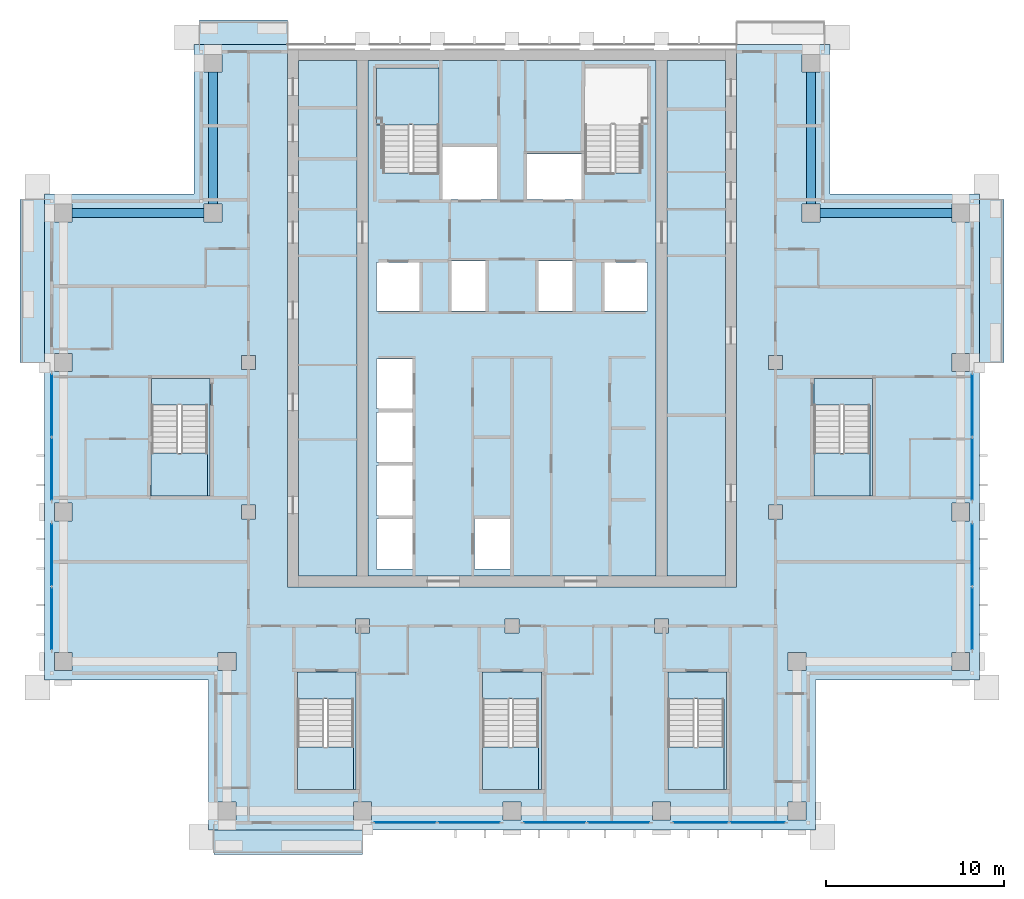
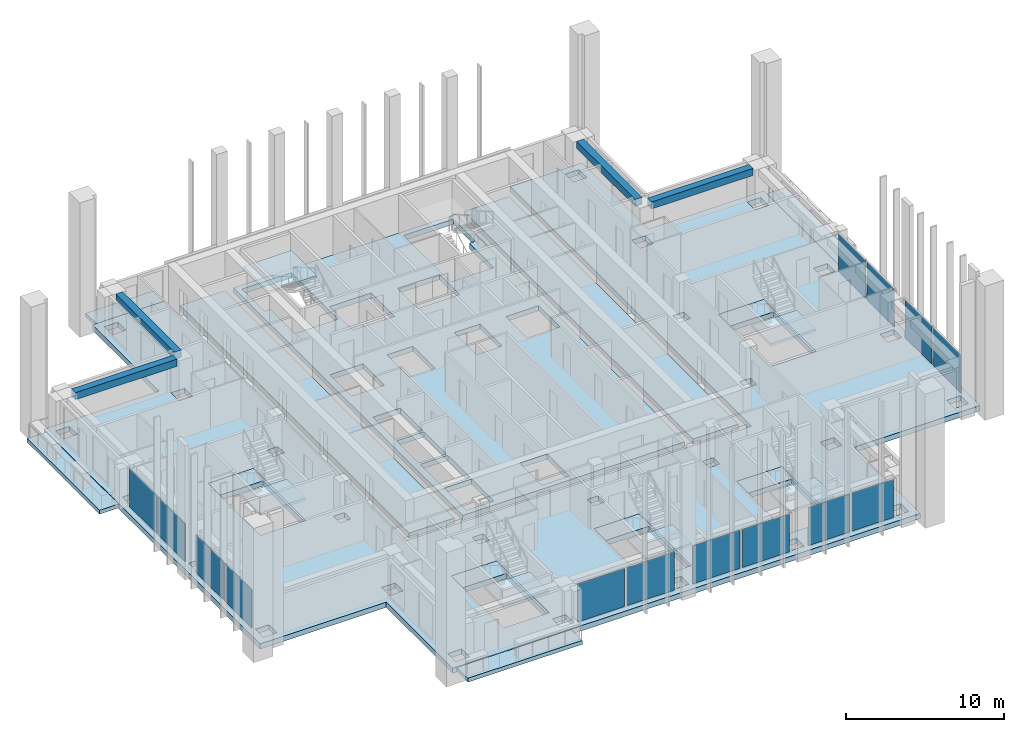
# One storey, part 6 of 17: 19 slabs, 14 plates, 4 beams, 13 elements without a shape of their own.
"""IFC4 building model written with IfcOpenShell, lengths in metres."""

from ifc_helpers import new_model, si_unit, direction, frame, origin, origin_2d, place, context, subcontext, project, spatial, polyline, rectangle, outline, extrude, material, layer, layer_set, material_profile, profile_set, type_object, element, aggregate, save


model = new_model("IFC4")

# Units and contexts
model_context = context("Model", 3, precision=1e-05, world=origin(), true_north=direction((0.0, 1.0)))
body_context = subcontext(model_context, "Body", "Model", "MODEL_VIEW")
ifc_project = project(units=[si_unit("LENGTHUNIT", "METRE"), si_unit("AREAUNIT", "SQUARE_METRE"), si_unit("VOLUMEUNIT", "CUBIC_METRE"), si_unit("PLANEANGLEUNIT", "RADIAN"), si_unit("MASSUNIT", "GRAM", prefix="KILO")], contexts=[model_context])

# Site, building, storey
site_placement = place(None, origin())
site = spatial("IfcSite", under=ifc_project, at=site_placement, CompositionType="ELEMENT")
building_placement = place(site_placement, origin())
building = spatial("IfcBuilding", under=site, at=building_placement, Name="Vermilion Ogive Tower", CompositionType="ELEMENT")
storey_placement = place(building_placement, frame((0.0, 0.0, 175.550048828125)))
storey = spatial("IfcBuildingStorey", under=building, at=storey_placement, Name="L45", CompositionType="ELEMENT", Elevation=175.550048828125)

# Beams
ifc_material_1 = material(Name="Concrete B45", Category="concrete")
ifc_material_profile = material_profile(ifc_material_1, rectangle(XDim=0.5, YDim=0.550048828125, at=origin_2d()), Name="500 x 550")
ifc_profile_set = profile_set([ifc_material_profile], Name="Concrete B45")
beam_type = type_object("IfcBeamType", Name="Edge beam 500 x 550 B45", PredefinedType="BEAM", material=ifc_profile_set)
for number, where, z_axis, x_axis, name in (
    (1, (24.699951171875, 12.60009765625, 2.77490234375), (-1.0, 0.0, 0.0), (0.0, -1.0, 0.0), "L45-EB-10"),
    (2, (16.800048828125, 13.10009765625, 2.77490234375), (0.0, 1.0, 0.0), (-1.0, 0.0, 0.0), "L45-EB-11"),
    (3, (-16.800048828125, 20.5, 2.77490234375), (0.0, -1.0, 0.0), (1.0, 0.0, 0.0), "L45-EB-12"),
    (4, (-17.300048828125, 12.60009765625, 2.77490234375), (-1.0, 0.0, 0.0), (0.0, -1.0, 0.0), "L45-EB-13"),
):
    element("IfcBeam", number, at=place(storey_placement, frame(where, z_axis=z_axis, x_axis=x_axis)), inside=storey, type_object=beam_type, Name=name, PredefinedType="BEAM", context=body_context, shape_type="SweptSolid", body=[
        extrude(rectangle(XDim=0.5, YDim=0.550048828125, at=origin_2d()), origin(), (0.0, 0.0, 1.0), 7.39990234375),
    ])

# Slabs
ifc_material_2 = material(Name="Concrete B40", Category="concrete")
ifc_layer_1 = layer(ifc_material_2, 0.300048828125)
ifc_layer_set_1 = layer_set([ifc_layer_1], Name="Balcony slab")
slab_type_1 = type_object("IfcSlabType", Name="Balcony slab", PredefinedType="FLOOR", material=ifc_layer_set_1)
slab_1_placement = place(storey_placement, frame((0.0, 0.0, -0.340087890625)))
element("IfcSlab", 5, at=slab_1_placement, inside=storey, type_object=slab_type_1, Name="Balcony slab S01", PredefinedType="FLOOR", context=body_context, shape_type="SweptSolid", body=[
    extrude(outline(polyline([(-16.75, -23.43408203125), (-8.39990234375, -23.43408203125), (-8.39990234375, -22.050048828125), (-16.75, -22.050048828125), (-16.75, -23.43408203125)])), origin(), (0.0, 0.0, 1.0), 0.300048828125),
])
slab_2_placement = place(storey_placement, frame((0.0, 0.0, -0.340087890625)))
element("IfcSlab", 6, at=slab_2_placement, inside=storey, type_object=slab_type_1, Name="Balcony slab E03", PredefinedType="FLOOR", context=body_context, shape_type="SweptSolid", body=[
    extrude(outline(polyline([(27.634033203125, 4.199951171875), (27.634033203125, 13.35009765625), (26.25, 13.35009765625), (26.25, 4.199951171875), (27.634033203125, 4.199951171875)])), origin(), (0.0, 0.0, 1.0), 0.300048828125),
])
slab_3_placement = place(storey_placement, frame((0.0, 0.0, -0.340087890625)))
element("IfcSlab", 7, at=slab_3_placement, inside=storey, type_object=slab_type_1, Name="Balcony slab N201", PredefinedType="FLOOR", context=body_context, shape_type="SweptSolid", body=[
    extrude(outline(polyline([(-12.60009765625, 23.43408203125), (-17.550048828125, 23.43408203125), (-17.550048828125, 22.050048828125), (-12.60009765625, 22.050048828125), (-12.60009765625, 23.43408203125)])), origin(), (0.0, 0.0, 1.0), 0.300048828125),
])
slab_4_placement = place(storey_placement, frame((0.0, 0.0, -0.340087890625)))
element("IfcSlab", 8, at=slab_4_placement, inside=storey, type_object=slab_type_1, Name="Balcony slab W01", PredefinedType="FLOOR", context=body_context, shape_type="SweptSolid", body=[
    extrude(outline(polyline([(-27.634033203125, 13.35009765625), (-27.634033203125, 4.199951171875), (-26.25, 4.199951171875), (-26.25, 13.35009765625), (-27.634033203125, 13.35009765625)])), origin(), (0.0, 0.0, 1.0), 0.300048828125),
])

# Curtain wall, plates
ifc_material_3 = material(Name="Low-iron laminated glazing in aluminium frame", Category="aluminium")
curtain_wall_type = type_object("IfcCurtainWallType", Name="Curtain wall CW7", PredefinedType="NOTDEFINED", material=ifc_material_3)
curtain_wall_1_placement = place(storey_placement, origin())
curtain_wall_1 = element("IfcCurtainWall", 9, at=curtain_wall_1_placement, inside=storey, type_object=curtain_wall_type, Name="Glazed skin S2", PredefinedType="NOTDEFINED")
ifc_material_4 = material(Name="Low-iron laminated glazing in aluminium frame", Category="aluminium")
ifc_layer_2 = layer(ifc_material_4, 0.031982421875)
ifc_layer_set_2 = layer_set([ifc_layer_2], Name="CW7 glazing panel 32")
plate_type = type_object("IfcPlateType", Name="CW7 glazing panel 32", PredefinedType="CURTAIN_PANEL", material=ifc_layer_set_2)
plate_1_placement = place(storey_placement, frame((-6.0048828125, -21.64990234375, 0.06005859375), z_axis=(0.0, 0.0, 1.0), x_axis=(1.0, 0.0, 0.0)))
plate_1 = element("IfcPlate", 10, at=plate_1_placement, type_object=plate_type, Name="CW7-S2 panel 1.1", PredefinedType="CURTAIN_PANEL", context=body_context, shape_type="SweptSolid", body=[
    extrude(rectangle(XDim=3.429931640625, YDim=0.031982421875, at=origin_2d()), origin(), (0.0, 0.0, 1.0), 2.929931640625),
])
plate_2_placement = place(storey_placement, frame((-2.39501953125, -21.64990234375, 0.06005859375), z_axis=(0.0, 0.0, 1.0), x_axis=(1.0, 0.0, 0.0)))
plate_2 = element("IfcPlate", 11, at=plate_2_placement, type_object=plate_type, Name="CW7-S2 panel 2.1", PredefinedType="CURTAIN_PANEL", context=body_context, shape_type="SweptSolid", body=[
    extrude(rectangle(XDim=3.429931640625, YDim=0.031982421875, at=origin_2d()), origin(), (0.0, 0.0, 1.0), 2.929931640625),
])
aggregate(curtain_wall_1, [plate_1, plate_2])

curtain_wall_2_placement = place(storey_placement, origin())
curtain_wall_2 = element("IfcCurtainWall", 12, at=curtain_wall_2_placement, inside=storey, type_object=curtain_wall_type, Name="Glazed skin S3", PredefinedType="NOTDEFINED")
plate_3_placement = place(storey_placement, frame((2.39501953125, -21.64990234375, 0.06005859375), z_axis=(0.0, 0.0, 1.0), x_axis=(1.0, 0.0, 0.0)))
plate_3 = element("IfcPlate", 13, at=plate_3_placement, type_object=plate_type, Name="CW7-S3 panel 1.1", PredefinedType="CURTAIN_PANEL", context=body_context, shape_type="SweptSolid", body=[
    extrude(rectangle(XDim=3.429931640625, YDim=0.031982421875, at=origin_2d()), origin(), (0.0, 0.0, 1.0), 2.929931640625),
])
plate_4_placement = place(storey_placement, frame((6.0048828125, -21.64990234375, 0.06005859375), z_axis=(0.0, 0.0, 1.0), x_axis=(1.0, 0.0, 0.0)))
plate_4 = element("IfcPlate", 14, at=plate_4_placement, type_object=plate_type, Name="CW7-S3 panel 2.1", PredefinedType="CURTAIN_PANEL", context=body_context, shape_type="SweptSolid", body=[
    extrude(rectangle(XDim=3.429931640625, YDim=0.031982421875, at=origin_2d()), origin(), (0.0, 0.0, 1.0), 2.929931640625),
])
aggregate(curtain_wall_2, [plate_3, plate_4])

curtain_wall_3_placement = place(storey_placement, origin())
curtain_wall_3 = element("IfcCurtainWall", 15, at=curtain_wall_3_placement, inside=storey, type_object=curtain_wall_type, Name="Glazed skin S4", PredefinedType="NOTDEFINED")
plate_5_placement = place(storey_placement, frame((10.594970703125, -21.64990234375, 0.06005859375), z_axis=(0.0, 0.0, 1.0), x_axis=(1.0, 0.0, 0.0)))
plate_5 = element("IfcPlate", 16, at=plate_5_placement, type_object=plate_type, Name="CW7-S4 panel 1.1", PredefinedType="CURTAIN_PANEL", context=body_context, shape_type="SweptSolid", body=[
    extrude(rectangle(XDim=3.030029296875, YDim=0.031982421875, at=origin_2d()), origin(), (0.0, 0.0, 1.0), 2.929931640625),
])
plate_6_placement = place(storey_placement, frame((13.804931640625, -21.64990234375, 0.06005859375), z_axis=(0.0, 0.0, 1.0), x_axis=(1.0, 0.0, 0.0)))
plate_6 = element("IfcPlate", 17, at=plate_6_placement, type_object=plate_type, Name="CW7-S4 panel 2.1", PredefinedType="CURTAIN_PANEL", context=body_context, shape_type="SweptSolid", body=[
    extrude(rectangle(XDim=3.030029296875, YDim=0.031982421875, at=origin_2d()), origin(), (0.0, 0.0, 1.0), 2.929931640625),
])
aggregate(curtain_wall_3, [plate_5, plate_6])

curtain_wall_4_placement = place(storey_placement, origin())
curtain_wall_4 = element("IfcCurtainWall", 18, at=curtain_wall_4_placement, inside=storey, type_object=curtain_wall_type, Name="Glazed skin E1", PredefinedType="NOTDEFINED")
plate_7_placement = place(storey_placement, frame((25.85009765625, -10.205078125, 0.06005859375), z_axis=(0.0, 0.0, 1.0), x_axis=(0.0, 1.0, 0.0)))
plate_7 = element("IfcPlate", 19, at=plate_7_placement, type_object=plate_type, Name="CW7-E1 panel 1.1", PredefinedType="CURTAIN_PANEL", context=body_context, shape_type="SweptSolid", body=[
    extrude(rectangle(XDim=3.429931640625, YDim=0.031982421875, at=origin_2d()), origin(), (0.0, 0.0, 1.0), 2.929931640625),
])
plate_8_placement = place(storey_placement, frame((25.85009765625, -6.594970703125, 0.06005859375), z_axis=(0.0, 0.0, 1.0), x_axis=(0.0, 1.0, 0.0)))
plate_8 = element("IfcPlate", 20, at=plate_8_placement, type_object=plate_type, Name="CW7-E1 panel 2.1", PredefinedType="CURTAIN_PANEL", context=body_context, shape_type="SweptSolid", body=[
    extrude(rectangle(XDim=3.429931640625, YDim=0.031982421875, at=origin_2d()), origin(), (0.0, 0.0, 1.0), 2.929931640625),
])
aggregate(curtain_wall_4, [plate_7, plate_8])

curtain_wall_5_placement = place(storey_placement, origin())
curtain_wall_5 = element("IfcCurtainWall", 21, at=curtain_wall_5_placement, inside=storey, type_object=curtain_wall_type, Name="Glazed skin E2", PredefinedType="NOTDEFINED")
plate_9_placement = place(storey_placement, frame((25.85009765625, -1.804931640625, 0.06005859375), z_axis=(0.0, 0.0, 1.0), x_axis=(0.0, 1.0, 0.0)))
plate_9 = element("IfcPlate", 22, at=plate_9_placement, type_object=plate_type, Name="CW7-E2 panel 1.1", PredefinedType="CURTAIN_PANEL", context=body_context, shape_type="SweptSolid", body=[
    extrude(rectangle(XDim=3.429931640625, YDim=0.031982421875, at=origin_2d()), origin(), (0.0, 0.0, 1.0), 2.929931640625),
])
plate_10_placement = place(storey_placement, frame((25.85009765625, 1.804931640625, 0.06005859375), z_axis=(0.0, 0.0, 1.0), x_axis=(0.0, 1.0, 0.0)))
plate_10 = element("IfcPlate", 23, at=plate_10_placement, type_object=plate_type, Name="CW7-E2 panel 2.1", PredefinedType="CURTAIN_PANEL", context=body_context, shape_type="SweptSolid", body=[
    extrude(rectangle(XDim=3.429931640625, YDim=0.031982421875, at=origin_2d()), origin(), (0.0, 0.0, 1.0), 2.929931640625),
])
aggregate(curtain_wall_5, [plate_9, plate_10])

curtain_wall_6_placement = place(storey_placement, origin())
curtain_wall_6 = element("IfcCurtainWall", 24, at=curtain_wall_6_placement, inside=storey, type_object=curtain_wall_type, Name="Glazed skin W2", PredefinedType="NOTDEFINED")
plate_11_placement = place(storey_placement, frame((-25.85009765625, 1.804931640625, 0.06005859375), z_axis=(0.0, 0.0, 1.0), x_axis=(0.0, -1.0, 0.0)))
plate_11 = element("IfcPlate", 25, at=plate_11_placement, type_object=plate_type, Name="CW7-W2 panel 1.1", PredefinedType="CURTAIN_PANEL", context=body_context, shape_type="SweptSolid", body=[
    extrude(rectangle(XDim=3.429931640625, YDim=0.031982421875, at=origin_2d()), origin(), (0.0, 0.0, 1.0), 2.929931640625),
])
plate_12_placement = place(storey_placement, frame((-25.85009765625, -1.804931640625, 0.06005859375), z_axis=(0.0, 0.0, 1.0), x_axis=(0.0, -1.0, 0.0)))
plate_12 = element("IfcPlate", 26, at=plate_12_placement, type_object=plate_type, Name="CW7-W2 panel 2.1", PredefinedType="CURTAIN_PANEL", context=body_context, shape_type="SweptSolid", body=[
    extrude(rectangle(XDim=3.429931640625, YDim=0.031982421875, at=origin_2d()), origin(), (0.0, 0.0, 1.0), 2.929931640625),
])
aggregate(curtain_wall_6, [plate_11, plate_12])

curtain_wall_7_placement = place(storey_placement, origin())
curtain_wall_7 = element("IfcCurtainWall", 27, at=curtain_wall_7_placement, inside=storey, type_object=curtain_wall_type, Name="Glazed skin W3", PredefinedType="NOTDEFINED")
plate_13_placement = place(storey_placement, frame((-25.85009765625, -6.594970703125, 0.06005859375), z_axis=(0.0, 0.0, 1.0), x_axis=(0.0, -1.0, 0.0)))
plate_13 = element("IfcPlate", 28, at=plate_13_placement, type_object=plate_type, Name="CW7-W3 panel 1.1", PredefinedType="CURTAIN_PANEL", context=body_context, shape_type="SweptSolid", body=[
    extrude(rectangle(XDim=3.429931640625, YDim=0.031982421875, at=origin_2d()), origin(), (0.0, 0.0, 1.0), 2.929931640625),
])
plate_14_placement = place(storey_placement, frame((-25.85009765625, -10.205078125, 0.06005859375), z_axis=(0.0, 0.0, 1.0), x_axis=(0.0, -1.0, 0.0)))
plate_14 = element("IfcPlate", 29, at=plate_14_placement, type_object=plate_type, Name="CW7-W3 panel 2.1", PredefinedType="CURTAIN_PANEL", context=body_context, shape_type="SweptSolid", body=[
    extrude(rectangle(XDim=3.429931640625, YDim=0.031982421875, at=origin_2d()), origin(), (0.0, 0.0, 1.0), 2.929931640625),
])
aggregate(curtain_wall_7, [plate_13, plate_14])

# Slabs
ifc_material_5 = material(Name="Concrete B40", Category="concrete")
ifc_layer_3 = layer(ifc_material_5, 0.39990234375)
ifc_layer_set_3 = layer_set([ifc_layer_3], Name="Core floor slab 400 B40")
slab_type_2 = type_object("IfcSlabType", Name="Core floor slab 400 B40", PredefinedType="FLOOR", material=ifc_layer_set_3)
slab_5_placement = place(storey_placement, frame((0.0, 0.0, -0.400146484375)))
element("IfcSlab", 30, at=slab_5_placement, inside=storey, type_object=slab_type_2, Name="L45-CK-FS1", PredefinedType="FLOOR", context=body_context, shape_type="SweptSolid", body=[
    extrude(outline(polyline([(-11.99609375, 21.14599609375), (-8.7041015625, 21.14599609375), (-8.7041015625, -7.7958984375), (-11.99609375, -7.7958984375), (-11.99609375, 21.14599609375)])), origin(), (0.0, 0.0, 1.0), 0.400146484375),
])
slab_6_placement = place(storey_placement, frame((0.0, 0.0, -0.400146484375)))
element("IfcSlab", 31, at=slab_6_placement, inside=storey, type_object=slab_type_2, Name="L45-CK-FS2", PredefinedType="FLOOR", context=body_context, shape_type="SweptSolid", body=[
    extrude(outline(polyline([(-8.095947265625, -7.7958984375), (8.095947265625, -7.7958984375), (8.095947265625, 21.14599609375), (-8.095947265625, 21.14599609375), (-8.095947265625, -7.7958984375)]), holes=[polyline([(-7.60009765625, -7.39990234375), (-7.60009765625, -4.60009765625), (-5.60009765625, -4.60009765625), (-5.60009765625, -7.39990234375), (-7.60009765625, -7.39990234375)]), polyline([(-7.60009765625, -4.39990234375), (-7.60009765625, -1.60009765625), (-5.60009765625, -1.60009765625), (-5.60009765625, -4.39990234375), (-7.60009765625, -4.39990234375)]), polyline([(-7.60009765625, -1.39990234375), (-7.60009765625, 1.39990234375), (-5.60009765625, 1.39990234375), (-5.60009765625, -1.39990234375), (-7.60009765625, -1.39990234375)]), polyline([(-7.60009765625, 1.60009765625), (-7.60009765625, 4.39990234375), (-5.60009765625, 4.39990234375), (-5.60009765625, 1.60009765625), (-7.60009765625, 1.60009765625)]), polyline([(-7.60009765625, 7.10009765625), (-7.60009765625, 9.800048828125), (-5.199951171875, 9.800048828125), (-5.199951171875, 7.10009765625), (-7.60009765625, 7.10009765625)]), polyline([(-3.39990234375, 9.89990234375), (-1.5, 9.89990234375), (-1.5, 7.10009765625), (-3.39990234375, 7.10009765625), (-3.39990234375, 9.89990234375)]), polyline([(-7.699951171875, 17.929931640625), (-7.699951171875, 20.75), (-4.10009765625, 20.75), (-4.10009765625, 14.85205078125), (-5.60009765625, 14.85205078125), (-5.60009765625, 14.85009765625), (-5.75, 14.85009765625), (-5.75, 14.85205078125), (-7.25, 14.85205078125), (-7.25, 17.929931640625), (-7.699951171875, 17.929931640625)]), polyline([(-2.10009765625, -7.39990234375), (-2.10009765625, -4.60009765625), (-0.10009765625, -4.60009765625), (-0.10009765625, -7.39990234375), (-2.10009765625, -7.39990234375)]), polyline([(5.199951171875, 7.10009765625), (5.199951171875, 9.800048828125), (7.60009765625, 9.800048828125), (7.60009765625, 7.10009765625), (5.199951171875, 7.10009765625)]), polyline([(1.5, 7.10009765625), (1.5, 9.89990234375), (3.39990234375, 9.89990234375), (3.39990234375, 7.10009765625), (1.5, 7.10009765625)]), polyline([(0.85009765625, 13.35009765625), (0.85009765625, 15.89990234375), (3.89990234375, 15.89990234375), (3.89990234375, 13.35009765625), (0.85009765625, 13.35009765625)]), polyline([(-3.89990234375, 16.300048828125), (-0.85009765625, 16.300048828125), (-0.85009765625, 13.35009765625), (-3.89990234375, 13.35009765625), (-3.89990234375, 16.300048828125)]), polyline([(5.75, 14.85009765625), (5.60009765625, 14.85009765625), (5.60009765625, 14.85205078125), (4.10009765625, 14.85205078125), (4.10009765625, 17.929931640625), (4.074951171875, 17.929931640625), (4.074951171875, 20.75), (7.699951171875, 20.75), (7.699951171875, 17.929931640625), (7.25, 17.929931640625), (7.25, 14.85205078125), (5.75, 14.85205078125), (5.75, 14.85009765625)])]), origin(), (0.0, 0.0, 1.0), 0.400146484375),
])
slab_7_placement = place(storey_placement, frame((0.0, 0.0, -0.400146484375)))
element("IfcSlab", 32, at=slab_7_placement, inside=storey, type_object=slab_type_2, Name="L45-CK-FS3", PredefinedType="FLOOR", context=body_context, shape_type="SweptSolid", body=[
    extrude(outline(polyline([(11.99609375, 21.14599609375), (11.99609375, -7.7958984375), (8.7041015625, -7.7958984375), (8.7041015625, 21.14599609375), (11.99609375, 21.14599609375)])), origin(), (0.0, 0.0, 1.0), 0.400146484375),
])
slab_8_placement = place(storey_placement, frame((0.0, 0.0, -0.400146484375)))
element("IfcSlab", 33, at=slab_8_placement, inside=storey, type_object=slab_type_2, Name="L45-SF-ST3-1", PredefinedType="FLOOR", context=body_context, shape_type="SweptSolid", body=[
    extrude(outline(polyline([(-12.050048828125, -13.199951171875), (-12.050048828125, -14.701904296875), (-10.550048828125, -14.701904296875), (-10.550048828125, -14.699951171875), (-10.39990234375, -14.699951171875), (-10.39990234375, -14.701904296875), (-8.89990234375, -14.701904296875), (-8.89990234375, -19.800048828125), (-8.75, -19.800048828125), (-8.75, -13.199951171875), (-12.050048828125, -13.199951171875)])), origin(), (0.0, 0.0, 1.0), 0.400146484375),
])
slab_9_placement = place(storey_placement, frame((0.0, 0.0, -0.400146484375)))
element("IfcSlab", 34, at=slab_9_placement, inside=storey, type_object=slab_type_2, Name="L45-SF-ST4-1", PredefinedType="FLOOR", context=body_context, shape_type="SweptSolid", body=[
    extrude(outline(polyline([(-1.64990234375, -13.199951171875), (-1.64990234375, -14.701904296875), (-0.14990234375, -14.701904296875), (-0.14990234375, -14.699951171875), (0.0, -14.699951171875), (0.0, -14.701904296875), (1.5, -14.701904296875), (1.5, -19.800048828125), (1.64990234375, -19.800048828125), (1.64990234375, -13.199951171875), (-1.64990234375, -13.199951171875)])), origin(), (0.0, 0.0, 1.0), 0.400146484375),
])
slab_10_placement = place(storey_placement, frame((0.0, 0.0, -0.400146484375)))
element("IfcSlab", 35, at=slab_10_placement, inside=storey, type_object=slab_type_2, Name="L45-SF-ST5-1", PredefinedType="FLOOR", context=body_context, shape_type="SweptSolid", body=[
    extrude(outline(polyline([(8.75, -13.199951171875), (8.75, -14.701904296875), (10.25, -14.701904296875), (10.25, -14.699951171875), (10.39990234375, -14.699951171875), (10.39990234375, -14.701904296875), (11.89990234375, -14.701904296875), (11.89990234375, -19.800048828125), (12.050048828125, -19.800048828125), (12.050048828125, -13.199951171875), (8.75, -13.199951171875)])), origin(), (0.0, 0.0, 1.0), 0.400146484375),
])
slab_11_placement = place(storey_placement, frame((0.0, 0.0, -0.400146484375)))
element("IfcSlab", 36, at=slab_11_placement, inside=storey, type_object=slab_type_2, Name="L45-SF-ST8-1", PredefinedType="FLOOR", context=body_context, shape_type="SweptSolid", body=[
    extrude(outline(polyline([(16.949951171875, 3.300048828125), (16.949951171875, 1.798095703125), (18.449951171875, 1.798095703125), (18.449951171875, 1.800048828125), (18.60009765625, 1.800048828125), (18.60009765625, 1.798095703125), (20.10009765625, 1.798095703125), (20.10009765625, -3.300048828125), (20.25, -3.300048828125), (20.25, 3.300048828125), (16.949951171875, 3.300048828125)])), origin(), (0.0, 0.0, 1.0), 0.400146484375),
])
slab_12_placement = place(storey_placement, frame((0.0, 0.0, -0.400146484375)))
element("IfcSlab", 37, at=slab_12_placement, inside=storey, type_object=slab_type_2, Name="L45-SF-ST9-1", PredefinedType="FLOOR", context=body_context, shape_type="SweptSolid", body=[
    extrude(outline(polyline([(-20.25, 3.300048828125), (-20.25, 1.798095703125), (-18.75, 1.798095703125), (-18.75, 1.800048828125), (-18.60009765625, 1.800048828125), (-18.60009765625, 1.798095703125), (-17.10009765625, 1.798095703125), (-17.10009765625, -3.300048828125), (-16.949951171875, -3.300048828125), (-16.949951171875, 3.300048828125), (-20.25, 3.300048828125)])), origin(), (0.0, 0.0, 1.0), 0.400146484375),
])
ifc_material_6 = material(Name="Concrete B45", Category="concrete")
ifc_layer_4 = layer(ifc_material_6, 0.39990234375)
ifc_layer_set_4 = layer_set([ifc_layer_4], Name="Post-tensioned flat plate 400 B45")
slab_type_3 = type_object("IfcSlabType", Name="Post-tensioned flat plate 400 B45", PredefinedType="FLOOR", material=ifc_layer_set_4)
slab_13_placement = place(storey_placement, frame((0.0, 0.0, -0.400146484375)))
element("IfcSlab", 38, at=slab_13_placement, inside=storey, type_object=slab_type_3, Name="L45-SL-1", PredefinedType="FLOOR", context=body_context, shape_type="SweptSolid", body=[
    extrude(outline(polyline([(-26.25, 13.64990234375), (-26.25, -13.64990234375), (-17.050048828125, -13.64990234375), (-17.050048828125, -22.050048828125), (17.050048828125, -22.050048828125), (17.050048828125, -13.64990234375), (26.25, -13.64990234375), (26.25, 13.64990234375), (17.85009765625, 13.64990234375), (17.85009765625, 22.050048828125), (12.60009765625, 22.050048828125), (12.60009765625, -8.39990234375), (-12.60009765625, -8.39990234375), (-12.60009765625, 22.050048828125), (-17.85009765625, 22.050048828125), (-17.85009765625, 13.64990234375), (-26.25, 13.64990234375)]), holes=[polyline([(24.699951171875, -3.699951171875), (25.699951171875, -3.699951171875), (25.699951171875, -4.699951171875), (24.699951171875, -4.699951171875), (24.699951171875, -3.699951171875)]), polyline([(24.699951171875, -12.10009765625), (25.699951171875, -12.10009765625), (25.699951171875, -13.10009765625), (24.699951171875, -13.10009765625), (24.699951171875, -12.10009765625)]), polyline([(25.699951171875, 13.10009765625), (25.699951171875, 12.10009765625), (24.699951171875, 12.10009765625), (24.699951171875, 13.10009765625), (25.699951171875, 13.10009765625)]), polyline([(25.699951171875, 4.699951171875), (25.699951171875, 3.699951171875), (24.699951171875, 3.699951171875), (24.699951171875, 4.699951171875), (25.699951171875, 4.699951171875)]), polyline([(16.949951171875, 3.300048828125), (20.25, 3.300048828125), (20.25, -3.300048828125), (16.949951171875, -3.300048828125), (16.949951171875, 3.300048828125)]), polyline([(16.300048828125, 13.10009765625), (17.300048828125, 13.10009765625), (17.300048828125, 12.10009765625), (16.300048828125, 12.10009765625), (16.300048828125, 13.10009765625)]), polyline([(17.300048828125, 21.5), (17.300048828125, 20.5), (16.300048828125, 20.5), (16.300048828125, 21.5), (17.300048828125, 21.5)]), polyline([(15.5, -12.10009765625), (16.5, -12.10009765625), (16.5, -13.10009765625), (15.5, -13.10009765625), (15.5, -12.10009765625)]), polyline([(15.5, -20.5), (16.5, -20.5), (16.5, -21.5), (15.5, -21.5), (15.5, -20.5)]), polyline([(14.39990234375, 4.60009765625), (15.199951171875, 4.60009765625), (15.199951171875, 3.800048828125), (14.39990234375, 3.800048828125), (14.39990234375, 4.60009765625)]), polyline([(15.199951171875, -3.800048828125), (15.199951171875, -4.60009765625), (14.39990234375, -4.60009765625), (14.39990234375, -3.800048828125), (15.199951171875, -3.800048828125)]), polyline([(12.050048828125, -13.199951171875), (12.050048828125, -19.800048828125), (8.699951171875, -19.800048828125), (8.699951171875, -17.780029296875), (8.75, -17.780029296875), (8.75, -13.199951171875), (12.050048828125, -13.199951171875)]), polyline([(7.89990234375, -20.5), (8.89990234375, -20.5), (8.89990234375, -21.5), (7.89990234375, -21.5), (7.89990234375, -20.5)]), polyline([(8.800048828125, -10.199951171875), (8.800048828125, -11.0), (8.0, -11.0), (8.0, -10.199951171875), (8.800048828125, -10.199951171875)]), polyline([(-1.64990234375, -13.199951171875), (1.64990234375, -13.199951171875), (1.64990234375, -19.800048828125), (-1.64990234375, -19.800048828125), (-1.64990234375, -13.199951171875)]), polyline([(-0.5, -20.5), (0.5, -20.5), (0.5, -21.5), (-0.5, -21.5), (-0.5, -20.5)]), polyline([(-0.39990234375, -10.199951171875), (0.39990234375, -10.199951171875), (0.39990234375, -11.0), (-0.39990234375, -11.0), (-0.39990234375, -10.199951171875)]), polyline([(-8.89990234375, -20.5), (-7.89990234375, -20.5), (-7.89990234375, -21.5), (-8.89990234375, -21.5), (-8.89990234375, -20.5)]), polyline([(-8.800048828125, -10.199951171875), (-8.0, -10.199951171875), (-8.0, -11.0), (-8.800048828125, -11.0), (-8.800048828125, -10.199951171875)]), polyline([(-12.050048828125, -13.199951171875), (-8.75, -13.199951171875), (-8.75, -17.780029296875), (-8.699951171875, -17.780029296875), (-8.699951171875, -19.800048828125), (-12.050048828125, -19.800048828125), (-12.050048828125, -13.199951171875)]), polyline([(-15.199951171875, 4.60009765625), (-14.39990234375, 4.60009765625), (-14.39990234375, 3.800048828125), (-15.199951171875, 3.800048828125), (-15.199951171875, 4.60009765625)]), polyline([(-14.39990234375, -3.800048828125), (-14.39990234375, -4.60009765625), (-15.199951171875, -4.60009765625), (-15.199951171875, -3.800048828125), (-14.39990234375, -3.800048828125)]), polyline([(-16.5, -12.10009765625), (-15.5, -12.10009765625), (-15.5, -13.10009765625), (-16.5, -13.10009765625), (-16.5, -12.10009765625)]), polyline([(-16.5, -20.5), (-15.5, -20.5), (-15.5, -21.5), (-16.5, -21.5), (-16.5, -20.5)]), polyline([(-17.300048828125, 13.10009765625), (-16.300048828125, 13.10009765625), (-16.300048828125, 12.10009765625), (-17.300048828125, 12.10009765625), (-17.300048828125, 13.10009765625)]), polyline([(-16.300048828125, 21.5), (-16.300048828125, 20.5), (-17.300048828125, 20.5), (-17.300048828125, 21.5), (-16.300048828125, 21.5)]), polyline([(-20.25, 3.300048828125), (-16.949951171875, 3.300048828125), (-16.949951171875, -3.300048828125), (-20.25, -3.300048828125), (-20.25, 3.300048828125)]), polyline([(-24.699951171875, 4.699951171875), (-24.699951171875, 3.699951171875), (-25.699951171875, 3.699951171875), (-25.699951171875, 4.699951171875), (-24.699951171875, 4.699951171875)]), polyline([(-25.699951171875, 13.10009765625), (-24.699951171875, 13.10009765625), (-24.699951171875, 12.10009765625), (-25.699951171875, 12.10009765625), (-25.699951171875, 13.10009765625)]), polyline([(-25.699951171875, -3.699951171875), (-24.699951171875, -3.699951171875), (-24.699951171875, -4.699951171875), (-25.699951171875, -4.699951171875), (-25.699951171875, -3.699951171875)]), polyline([(-25.699951171875, -12.10009765625), (-24.699951171875, -12.10009765625), (-24.699951171875, -13.10009765625), (-25.699951171875, -13.10009765625), (-25.699951171875, -12.10009765625)])]), origin(), (0.0, 0.0, 1.0), 0.400146484375),
])

# Stair, slab
ifc_material_7 = material(Name="Concrete B40", Category="concrete")
stair_type = type_object("IfcStairType", Name="Exit stair 1500", PredefinedType="HALF_TURN_STAIR", material=ifc_material_7)
stair_1_placement = place(storey_placement, origin())
stair_1 = element("IfcStair", 39, at=stair_1_placement, inside=storey, type_object=stair_type, Name="L45 Exit Stair ST1", PredefinedType="HALF_TURN_STAIR")
ifc_material_8 = material(Name="Concrete B40", Category="concrete")
ifc_layer_5 = layer(ifc_material_8, 0.199951171875)
ifc_layer_set_5 = layer_set([ifc_layer_5], Name="Stair landing 200")
slab_type_4 = type_object("IfcSlabType", Name="Stair landing 200", PredefinedType="LANDING", material=ifc_layer_set_5)
slab_14_placement = place(storey_placement, frame((0.0, 0.0, 1.52490234375)))
slab_14 = element("IfcSlab", 40, at=slab_14_placement, type_object=slab_type_4, Name="ST1 landing 1", PredefinedType="LANDING", context=body_context, shape_type="SweptSolid", body=[
    extrude(outline(polyline([(-7.60009765625, 17.550048828125), (-7.25, 17.550048828125), (-7.25, 17.548095703125), (-5.75, 17.548095703125), (-5.75, 17.550048828125), (-5.60009765625, 17.550048828125), (-5.60009765625, 17.548095703125), (-4.10009765625, 17.548095703125), (-4.10009765625, 20.75), (-7.60009765625, 20.75), (-7.60009765625, 17.550048828125)])), origin(), (0.0, 0.0, 1.0), 0.199951171875),
])
aggregate(stair_1, [slab_14])

stair_2_placement = place(storey_placement, origin())
stair_2 = element("IfcStair", 41, at=stair_2_placement, inside=storey, type_object=stair_type, Name="L45 Exit Stair ST3", PredefinedType="HALF_TURN_STAIR")
slab_15_placement = place(storey_placement, frame((0.0, 0.0, 1.52490234375)))
slab_15 = element("IfcSlab", 42, at=slab_15_placement, type_object=slab_type_4, Name="ST3 landing 1", PredefinedType="LANDING", context=body_context, shape_type="SweptSolid", body=[
    extrude(outline(polyline([(-8.75, -17.39990234375), (-8.89990234375, -17.39990234375), (-8.89990234375, -17.39794921875), (-10.39990234375, -17.39794921875), (-10.39990234375, -17.39990234375), (-10.550048828125, -17.39990234375), (-10.550048828125, -17.39794921875), (-12.050048828125, -17.39794921875), (-12.050048828125, -17.402099609375), (-12.0498046875, -17.402099609375), (-12.0498046875, -19.7998046875), (-8.75, -19.7998046875), (-8.75, -17.39990234375)])), origin(), (0.0, 0.0, 1.0), 0.199951171875),
])
aggregate(stair_2, [slab_15])

stair_3_placement = place(storey_placement, origin())
stair_3 = element("IfcStair", 43, at=stair_3_placement, inside=storey, type_object=stair_type, Name="L45 Exit Stair ST4", PredefinedType="HALF_TURN_STAIR")
slab_16_placement = place(storey_placement, frame((0.0, 0.0, 1.52490234375)))
slab_16 = element("IfcSlab", 44, at=slab_16_placement, type_object=slab_type_4, Name="ST4 landing 1", PredefinedType="LANDING", context=body_context, shape_type="SweptSolid", body=[
    extrude(outline(polyline([(1.64990234375, -17.39990234375), (1.5, -17.39990234375), (1.5, -17.39794921875), (0.0, -17.39794921875), (0.0, -17.39990234375), (-0.14990234375, -17.39990234375), (-0.14990234375, -17.39794921875), (-1.64990234375, -17.39794921875), (-1.64990234375, -19.7998046875), (1.64990234375, -19.7998046875), (1.64990234375, -17.39990234375)])), origin(), (0.0, 0.0, 1.0), 0.199951171875),
])
aggregate(stair_3, [slab_16])

stair_4_placement = place(storey_placement, origin())
stair_4 = element("IfcStair", 45, at=stair_4_placement, inside=storey, type_object=stair_type, Name="L45 Exit Stair ST5", PredefinedType="HALF_TURN_STAIR")
slab_17_placement = place(storey_placement, frame((0.0, 0.0, 1.52490234375)))
slab_17 = element("IfcSlab", 46, at=slab_17_placement, type_object=slab_type_4, Name="ST5 landing 1", PredefinedType="LANDING", context=body_context, shape_type="SweptSolid", body=[
    extrude(outline(polyline([(12.0498046875, -17.39990234375), (11.89990234375, -17.39990234375), (11.89990234375, -17.39794921875), (10.39990234375, -17.39794921875), (10.39990234375, -17.39990234375), (10.25, -17.39990234375), (10.25, -17.39794921875), (8.75, -17.39794921875), (8.75, -17.39990234375), (8.75, -17.39990234375), (8.75, -19.7998046875), (12.0498046875, -19.7998046875), (12.0498046875, -17.39990234375)])), origin(), (0.0, 0.0, 1.0), 0.199951171875),
])
aggregate(stair_4, [slab_17])

stair_5_placement = place(storey_placement, origin())
stair_5 = element("IfcStair", 47, at=stair_5_placement, inside=storey, type_object=stair_type, Name="L45 Exit Stair ST8", PredefinedType="HALF_TURN_STAIR")
slab_18_placement = place(storey_placement, frame((0.0, 0.0, 1.52490234375)))
slab_18 = element("IfcSlab", 48, at=slab_18_placement, type_object=slab_type_4, Name="ST8 landing 1", PredefinedType="LANDING", context=body_context, shape_type="SweptSolid", body=[
    extrude(outline(polyline([(20.25, -0.89990234375), (20.10009765625, -0.89990234375), (20.10009765625, -0.89794921875), (18.60009765625, -0.89794921875), (18.60009765625, -0.89990234375), (18.449951171875, -0.89990234375), (18.449951171875, -0.89794921875), (16.949951171875, -0.89794921875), (16.949951171875, -0.902099609375), (16.9501953125, -0.902099609375), (16.9501953125, -3.2998046875), (20.25, -3.2998046875), (20.25, -0.89990234375)])), origin(), (0.0, 0.0, 1.0), 0.199951171875),
])
aggregate(stair_5, [slab_18])

stair_6_placement = place(storey_placement, origin())
stair_6 = element("IfcStair", 49, at=stair_6_placement, inside=storey, type_object=stair_type, Name="L45 Exit Stair ST9", PredefinedType="HALF_TURN_STAIR")
slab_19_placement = place(storey_placement, frame((0.0, 0.0, 1.52490234375)))
slab_19 = element("IfcSlab", 50, at=slab_19_placement, type_object=slab_type_4, Name="ST9 landing 1", PredefinedType="LANDING", context=body_context, shape_type="SweptSolid", body=[
    extrude(outline(polyline([(-16.9501953125, -0.89990234375), (-17.10009765625, -0.89990234375), (-17.10009765625, -0.89794921875), (-18.60009765625, -0.89794921875), (-18.60009765625, -0.89990234375), (-18.75, -0.89990234375), (-18.75, -0.89794921875), (-20.25, -0.89794921875), (-20.25, -0.89990234375), (-20.275146484375, -0.89990234375), (-20.275146484375, -3.2998046875), (-16.9501953125, -3.2998046875), (-16.9501953125, -0.89990234375)])), origin(), (0.0, 0.0, 1.0), 0.199951171875),
])
aggregate(stair_6, [slab_19])

save(model, "model.ifc")
